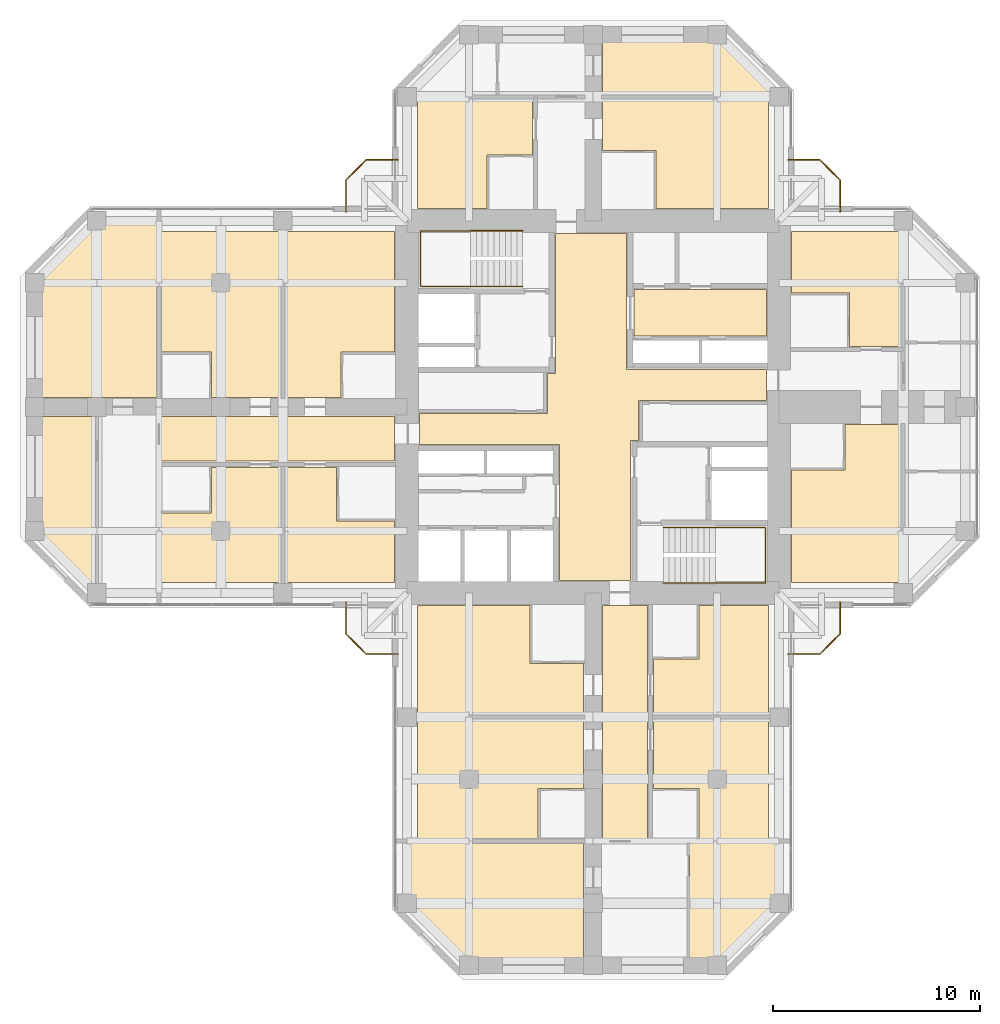
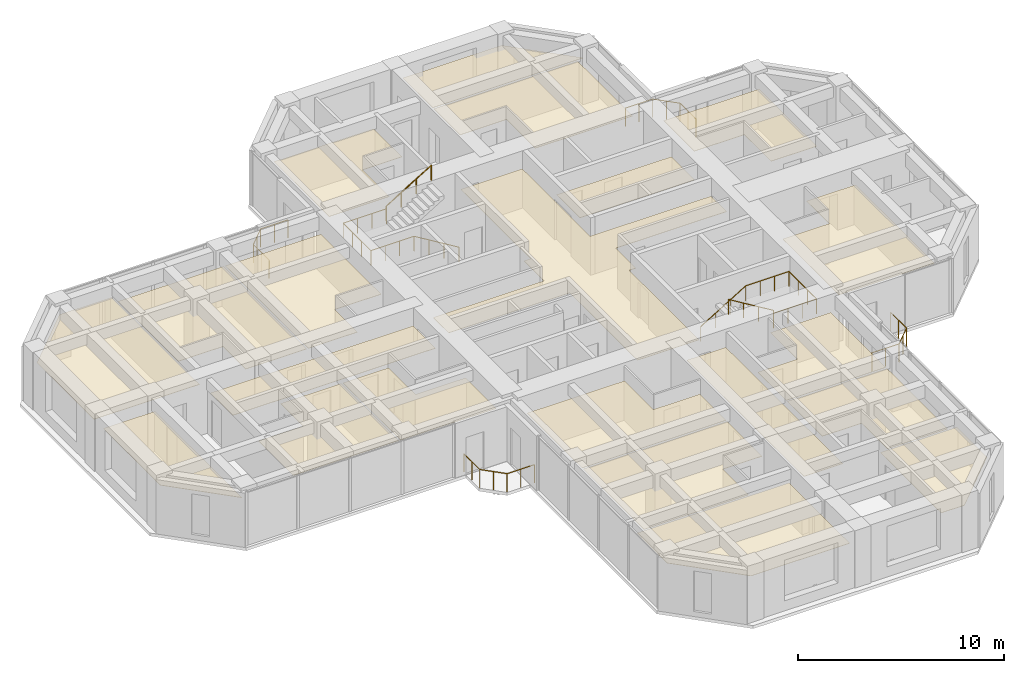
# One storey, part 14 of 14: 21 coverings, 8 railings.
"""IFC4 building model written with IfcOpenShell, lengths in metres."""

from ifc_helpers import new_model, si_unit, direction, frame, origin, origin_2d, place, context, subcontext, project, spatial, polyline, circle, outline, extrude, material, layer, layer_set, constituent, constituent_set, type_object, element, save


model = new_model("IFC4")

# Units and contexts
model_context = context("Model", 3, precision=1e-05, world=origin(), true_north=direction((0.0, 1.0)))
body_context = subcontext(model_context, "Body", "Model", "MODEL_VIEW")
ifc_project = project(units=[si_unit("LENGTHUNIT", "METRE"), si_unit("AREAUNIT", "SQUARE_METRE"), si_unit("VOLUMEUNIT", "CUBIC_METRE"), si_unit("PLANEANGLEUNIT", "RADIAN"), si_unit("MASSUNIT", "GRAM", prefix="KILO")], contexts=[model_context])

# Site, building, storey
site_placement = place(None, origin())
site = spatial("IfcSite", under=ifc_project, at=site_placement, CompositionType="ELEMENT")
building_placement = place(site_placement, origin())
building = spatial("IfcBuilding", under=site, at=building_placement, Name="Torre Cruceta", CompositionType="ELEMENT")
storey_placement = place(building_placement, frame((0.0, 0.0, 176.300048828125)))
storey = spatial("IfcBuildingStorey", under=building, at=storey_placement, Name="L43", CompositionType="ELEMENT", Elevation=176.300048828125)

# Railings
ifc_material_1 = material(Name="Stainless steel 1.4401", Category="steel")
ifc_constituent_1 = constituent(ifc_material_1, Name="Frame")
ifc_material_2 = material(Name="Laminated safety glass", Category="glass")
ifc_constituent_2 = constituent(ifc_material_2, Name="Infill")
ifc_constituent_set = constituent_set(constituents=[ifc_constituent_1, ifc_constituent_2], Name="Stainless steel and laminated glass balustrade")
railing_type_1 = type_object("IfcRailingType", Name="BALCONY BALUSTRADE 1100", PredefinedType="BALUSTRADE", material=ifc_constituent_set)
railing_1_placement = place(storey_placement, frame((-9.449951171875, 11.949951171875, 0.0)))
element("IfcRailing", 1, at=railing_1_placement, inside=storey, type_object=railing_type_1, Name="BL1 balcony balustrade L43 N", PredefinedType="BALUSTRADE", context=body_context, shape_type="SweptSolid", body=[
    extrude(circle(Radius=0.02392578125, at=origin_2d()), frame((0.0, 0.0, 1.076171875), z_axis=(-1.0, 0.0, 0.0), x_axis=(0.0, -1.0, 0.0)), (0.0, 0.0, 1.0), 1.529296875),
    extrude(circle(Radius=0.02392578125, at=origin_2d()), frame((-1.529296875, 0.0, 1.076171875), z_axis=(-0.707106781187, -0.707106781187, 0.0), x_axis=(0.707106781187, -0.707106781187, 0.0)), (0.0, 0.0, 1.0), 1.372802734375),
    extrude(circle(Radius=0.02392578125, at=origin_2d()), frame((-2.5, -0.970703125, 1.076171875), z_axis=(0.0, -1.0, 0.0), x_axis=(1.0, 0.0, 0.0)), (0.0, 0.0, 1.0), 1.529296875),
    extrude(circle(Radius=0.02099609375, at=origin_2d()), origin(), (0.0, 0.0, 1.0), 1.052001953125),
    extrude(circle(Radius=0.02099609375, at=origin_2d()), frame((-0.7646484375, 0.0, 0.0)), (0.0, 0.0, 1.0), 1.052001953125),
    extrude(circle(Radius=0.02099609375, at=origin_2d()), frame((-1.529296875, 0.0, 0.0)), (0.0, 0.0, 1.0), 1.052001953125),
    extrude(circle(Radius=0.02099609375, at=origin_2d()), frame((-2.0146484375, -0.4853515625, 0.0)), (0.0, 0.0, 1.0), 1.052001953125),
    extrude(circle(Radius=0.02099609375, at=origin_2d()), frame((-2.5, -0.970703125, 0.0)), (0.0, 0.0, 1.0), 1.052001953125),
    extrude(circle(Radius=0.02099609375, at=origin_2d()), frame((-2.5, -1.7353515625, 0.0)), (0.0, 0.0, 1.0), 1.052001953125),
    extrude(circle(Radius=0.02099609375, at=origin_2d()), frame((-2.5, -2.5, 0.0)), (0.0, 0.0, 1.0), 1.052001953125),
])
railing_2_placement = place(storey_placement, frame((9.449951171875, 11.949951171875, 0.0)))
element("IfcRailing", 2, at=railing_2_placement, inside=storey, type_object=railing_type_1, Name="BL1 balcony balustrade L43 E", PredefinedType="BALUSTRADE", context=body_context, shape_type="SweptSolid", body=[
    extrude(circle(Radius=0.02392578125, at=origin_2d()), frame((0.0, 0.0, 1.076171875), z_axis=(1.0, 0.0, 0.0), x_axis=(0.0, 1.0, 0.0)), (0.0, 0.0, 1.0), 1.529296875),
    extrude(circle(Radius=0.02392578125, at=origin_2d()), frame((1.529296875, 0.0, 1.076171875), z_axis=(0.707106781187, -0.707106781187, 0.0), x_axis=(0.707106781187, 0.707106781187, 0.0)), (0.0, 0.0, 1.0), 1.372802734375),
    extrude(circle(Radius=0.02392578125, at=origin_2d()), frame((2.5, -0.970703125, 1.076171875), z_axis=(0.0, -1.0, 0.0), x_axis=(1.0, 0.0, 0.0)), (0.0, 0.0, 1.0), 1.529296875),
    extrude(circle(Radius=0.02099609375, at=origin_2d()), origin(), (0.0, 0.0, 1.0), 1.052001953125),
    extrude(circle(Radius=0.02099609375, at=origin_2d()), frame((0.7646484375, 0.0, 0.0)), (0.0, 0.0, 1.0), 1.052001953125),
    extrude(circle(Radius=0.02099609375, at=origin_2d()), frame((1.529296875, 0.0, 0.0)), (0.0, 0.0, 1.0), 1.052001953125),
    extrude(circle(Radius=0.02099609375, at=origin_2d()), frame((2.0146484375, -0.4853515625, 0.0)), (0.0, 0.0, 1.0), 1.052001953125),
    extrude(circle(Radius=0.02099609375, at=origin_2d()), frame((2.5, -0.970703125, 0.0)), (0.0, 0.0, 1.0), 1.052001953125),
    extrude(circle(Radius=0.02099609375, at=origin_2d()), frame((2.5, -1.7353515625, 0.0)), (0.0, 0.0, 1.0), 1.052001953125),
    extrude(circle(Radius=0.02099609375, at=origin_2d()), frame((2.5, -2.5, 0.0)), (0.0, 0.0, 1.0), 1.052001953125),
])
railing_3_placement = place(storey_placement, frame((9.449951171875, -11.949951171875, 0.0)))
element("IfcRailing", 3, at=railing_3_placement, inside=storey, type_object=railing_type_1, Name="BL1 balcony balustrade L43 S", PredefinedType="BALUSTRADE", context=body_context, shape_type="SweptSolid", body=[
    extrude(circle(Radius=0.02392578125, at=origin_2d()), frame((0.0, 0.0, 1.076171875), z_axis=(1.0, 0.0, 0.0), x_axis=(0.0, 1.0, 0.0)), (0.0, 0.0, 1.0), 1.529296875),
    extrude(circle(Radius=0.02392578125, at=origin_2d()), frame((1.529296875, 0.0, 1.076171875), z_axis=(0.707106781187, 0.707106781187, 0.0), x_axis=(-0.707106781187, 0.707106781187, 0.0)), (0.0, 0.0, 1.0), 1.372802734375),
    extrude(circle(Radius=0.02392578125, at=origin_2d()), frame((2.5, 0.970703125, 1.076171875), z_axis=(0.0, 1.0, 0.0), x_axis=(-1.0, 0.0, 0.0)), (0.0, 0.0, 1.0), 1.529296875),
    extrude(circle(Radius=0.02099609375, at=origin_2d()), origin(), (0.0, 0.0, 1.0), 1.052001953125),
    extrude(circle(Radius=0.02099609375, at=origin_2d()), frame((0.7646484375, 0.0, 0.0)), (0.0, 0.0, 1.0), 1.052001953125),
    extrude(circle(Radius=0.02099609375, at=origin_2d()), frame((1.529296875, 0.0, 0.0)), (0.0, 0.0, 1.0), 1.052001953125),
    extrude(circle(Radius=0.02099609375, at=origin_2d()), frame((2.0146484375, 0.4853515625, 0.0)), (0.0, 0.0, 1.0), 1.052001953125),
    extrude(circle(Radius=0.02099609375, at=origin_2d()), frame((2.5, 0.970703125, 0.0)), (0.0, 0.0, 1.0), 1.052001953125),
    extrude(circle(Radius=0.02099609375, at=origin_2d()), frame((2.5, 1.7353515625, 0.0)), (0.0, 0.0, 1.0), 1.052001953125),
    extrude(circle(Radius=0.02099609375, at=origin_2d()), frame((2.5, 2.5, 0.0)), (0.0, 0.0, 1.0), 1.052001953125),
])
railing_4_placement = place(storey_placement, frame((-9.449951171875, -11.949951171875, 0.0)))
element("IfcRailing", 4, at=railing_4_placement, inside=storey, type_object=railing_type_1, Name="BL1 balcony balustrade L43 W", PredefinedType="BALUSTRADE", context=body_context, shape_type="SweptSolid", body=[
    extrude(circle(Radius=0.02392578125, at=origin_2d()), frame((0.0, 0.0, 1.076171875), z_axis=(-1.0, 0.0, 0.0), x_axis=(0.0, -1.0, 0.0)), (0.0, 0.0, 1.0), 1.529296875),
    extrude(circle(Radius=0.02392578125, at=origin_2d()), frame((-1.529296875, 0.0, 1.076171875), z_axis=(-0.707106781187, 0.707106781187, 0.0), x_axis=(-0.707106781187, -0.707106781187, 0.0)), (0.0, 0.0, 1.0), 1.372802734375),
    extrude(circle(Radius=0.02392578125, at=origin_2d()), frame((-2.5, 0.970703125, 1.076171875), z_axis=(0.0, 1.0, 0.0), x_axis=(-1.0, 0.0, 0.0)), (0.0, 0.0, 1.0), 1.529296875),
    extrude(circle(Radius=0.02099609375, at=origin_2d()), origin(), (0.0, 0.0, 1.0), 1.052001953125),
    extrude(circle(Radius=0.02099609375, at=origin_2d()), frame((-0.7646484375, 0.0, 0.0)), (0.0, 0.0, 1.0), 1.052001953125),
    extrude(circle(Radius=0.02099609375, at=origin_2d()), frame((-1.529296875, 0.0, 0.0)), (0.0, 0.0, 1.0), 1.052001953125),
    extrude(circle(Radius=0.02099609375, at=origin_2d()), frame((-2.0146484375, 0.4853515625, 0.0)), (0.0, 0.0, 1.0), 1.052001953125),
    extrude(circle(Radius=0.02099609375, at=origin_2d()), frame((-2.5, 0.970703125, 0.0)), (0.0, 0.0, 1.0), 1.052001953125),
    extrude(circle(Radius=0.02099609375, at=origin_2d()), frame((-2.5, 1.7353515625, 0.0)), (0.0, 0.0, 1.0), 1.052001953125),
    extrude(circle(Radius=0.02099609375, at=origin_2d()), frame((-2.5, 2.5, 0.0)), (0.0, 0.0, 1.0), 1.052001953125),
])
ifc_material_3 = material(Name="Stainless steel 1.4401", Category="steel")
railing_type_2 = type_object("IfcRailingType", Name="HANDRAIL 900", PredefinedType="HANDRAIL", material=ifc_material_3)
railing_5_placement = place(storey_placement, frame((-3.39990234375, 5.8349609375, 0.169921875)))
element("IfcRailing", 5, at=railing_5_placement, inside=storey, type_object=railing_type_2, Name="Handrail HR1 ST1 L43", PredefinedType="HANDRAIL", context=body_context, shape_type="SweptSolid", body=[
    extrude(circle(Radius=0.02392578125, at=origin_2d()), frame((0.0, 0.0, 0.8759765625), z_axis=(-0.85478489116, 0.0, 0.518982456201), x_axis=(0.0, -1.0, 0.0)), (0.0, 0.0, 1.0), 2.9482421875),
    extrude(circle(Radius=0.02392578125, at=origin_2d()), frame((-2.52001953125, 0.0, 2.40576171875), z_axis=(-1.0, 0.0, 0.0), x_axis=(0.0, -1.0, 0.0)), (0.0, 0.0, 1.0), 2.420166015625),
    extrude(circle(Radius=0.02392578125, at=origin_2d()), frame((-4.940185546875, 0.0, 2.40576171875), z_axis=(0.0, 1.0, 0.0), x_axis=(-1.0, 0.0, 0.0)), (0.0, 0.0, 1.0), 2.679931640625),
    extrude(circle(Radius=0.02392578125, at=origin_2d()), frame((-4.940185546875, 2.679931640625, 2.40576171875), z_axis=(1.0, 0.0, 0.0), x_axis=(0.0, 1.0, 0.0)), (0.0, 0.0, 1.0), 2.420166015625),
    extrude(circle(Radius=0.02099609375, at=origin_2d()), origin(), (0.0, 0.0, 1.0), 0.851806640625),
    extrude(circle(Radius=0.02099609375, at=origin_2d()), frame((-0.840087890625, 0.0, 0.510009765625)), (0.0, 0.0, 1.0), 0.851806640625),
    extrude(circle(Radius=0.02099609375, at=origin_2d()), frame((-1.679931640625, 0.0, 1.02001953125)), (0.0, 0.0, 1.0), 0.851806640625),
    extrude(circle(Radius=0.02099609375, at=origin_2d()), frame((-2.52001953125, 0.0, 1.530029296875)), (0.0, 0.0, 1.0), 0.851806640625),
    extrude(circle(Radius=0.02099609375, at=origin_2d()), frame((-3.32666015625, 0.0, 1.530029296875)), (0.0, 0.0, 1.0), 0.851806640625),
    extrude(circle(Radius=0.02099609375, at=origin_2d()), frame((-4.133544921875, 0.0, 1.530029296875)), (0.0, 0.0, 1.0), 0.851806640625),
    extrude(circle(Radius=0.02099609375, at=origin_2d()), frame((-4.940185546875, 0.0, 1.530029296875)), (0.0, 0.0, 1.0), 0.851806640625),
    extrude(circle(Radius=0.02099609375, at=origin_2d()), frame((-4.940185546875, 0.893310546875, 1.530029296875)), (0.0, 0.0, 1.0), 0.851806640625),
    extrude(circle(Radius=0.02099609375, at=origin_2d()), frame((-4.940185546875, 1.78662109375, 1.530029296875)), (0.0, 0.0, 1.0), 0.851806640625),
    extrude(circle(Radius=0.02099609375, at=origin_2d()), frame((-4.940185546875, 2.679931640625, 1.530029296875)), (0.0, 0.0, 1.0), 0.851806640625),
    extrude(circle(Radius=0.02099609375, at=origin_2d()), frame((-4.133544921875, 2.679931640625, 1.530029296875)), (0.0, 0.0, 1.0), 0.851806640625),
    extrude(circle(Radius=0.02099609375, at=origin_2d()), frame((-3.32666015625, 2.679931640625, 1.530029296875)), (0.0, 0.0, 1.0), 0.851806640625),
    extrude(circle(Radius=0.02099609375, at=origin_2d()), frame((-2.52001953125, 2.679931640625, 1.530029296875)), (0.0, 0.0, 1.0), 0.851806640625),
])
railing_6_placement = place(storey_placement, frame((-5.919921875, 8.514892578125, 1.869873046875)))
element("IfcRailing", 6, at=railing_6_placement, inside=storey, type_object=railing_type_2, Name="Handrail HR1 ST1 L43", PredefinedType="HANDRAIL", context=body_context, shape_type="SweptSolid", body=[
    extrude(circle(Radius=0.02392578125, at=origin_2d()), frame((0.0, 0.0, 0.8759765625), z_axis=(0.85478489116, 0.0, 0.518982456201), x_axis=(0.0, 1.0, 0.0)), (0.0, 0.0, 1.0), 2.9482421875),
    extrude(circle(Radius=0.02099609375, at=origin_2d()), origin(), (0.0, 0.0, 1.0), 0.851806640625),
    extrude(circle(Radius=0.02099609375, at=origin_2d()), frame((0.840087890625, 0.0, 0.510009765625)), (0.0, 0.0, 1.0), 0.851806640625),
    extrude(circle(Radius=0.02099609375, at=origin_2d()), frame((1.679931640625, 0.0, 1.02001953125)), (0.0, 0.0, 1.0), 0.851806640625),
    extrude(circle(Radius=0.02099609375, at=origin_2d()), frame((2.52001953125, 0.0, 1.530029296875)), (0.0, 0.0, 1.0), 0.851806640625),
])
railing_7_placement = place(storey_placement, frame((3.39990234375, -5.8349609375, 0.169921875)))
element("IfcRailing", 7, at=railing_7_placement, inside=storey, type_object=railing_type_2, Name="Handrail HR1 ST2 L43", PredefinedType="HANDRAIL", context=body_context, shape_type="SweptSolid", body=[
    extrude(circle(Radius=0.02392578125, at=origin_2d()), frame((0.0, 0.0, 0.8759765625), z_axis=(0.85478489116, 0.0, 0.518982456201), x_axis=(0.0, 1.0, 0.0)), (0.0, 0.0, 1.0), 2.9482421875),
    extrude(circle(Radius=0.02392578125, at=origin_2d()), frame((2.52001953125, 0.0, 2.40576171875), z_axis=(1.0, 0.0, 0.0), x_axis=(0.0, 1.0, 0.0)), (0.0, 0.0, 1.0), 2.420166015625),
    extrude(circle(Radius=0.02392578125, at=origin_2d()), frame((4.940185546875, 0.0, 2.40576171875), z_axis=(0.0, -1.0, 0.0), x_axis=(1.0, 0.0, 0.0)), (0.0, 0.0, 1.0), 2.679931640625),
    extrude(circle(Radius=0.02392578125, at=origin_2d()), frame((4.940185546875, -2.679931640625, 2.40576171875), z_axis=(-1.0, 0.0, 0.0), x_axis=(0.0, -1.0, 0.0)), (0.0, 0.0, 1.0), 2.420166015625),
    extrude(circle(Radius=0.02099609375, at=origin_2d()), origin(), (0.0, 0.0, 1.0), 0.851806640625),
    extrude(circle(Radius=0.02099609375, at=origin_2d()), frame((0.840087890625, 0.0, 0.510009765625)), (0.0, 0.0, 1.0), 0.851806640625),
    extrude(circle(Radius=0.02099609375, at=origin_2d()), frame((1.679931640625, 0.0, 1.02001953125)), (0.0, 0.0, 1.0), 0.851806640625),
    extrude(circle(Radius=0.02099609375, at=origin_2d()), frame((2.52001953125, 0.0, 1.530029296875)), (0.0, 0.0, 1.0), 0.851806640625),
    extrude(circle(Radius=0.02099609375, at=origin_2d()), frame((3.32666015625, 0.0, 1.530029296875)), (0.0, 0.0, 1.0), 0.851806640625),
    extrude(circle(Radius=0.02099609375, at=origin_2d()), frame((4.133544921875, 0.0, 1.530029296875)), (0.0, 0.0, 1.0), 0.851806640625),
    extrude(circle(Radius=0.02099609375, at=origin_2d()), frame((4.940185546875, 0.0, 1.530029296875)), (0.0, 0.0, 1.0), 0.851806640625),
    extrude(circle(Radius=0.02099609375, at=origin_2d()), frame((4.940185546875, -0.893310546875, 1.530029296875)), (0.0, 0.0, 1.0), 0.851806640625),
    extrude(circle(Radius=0.02099609375, at=origin_2d()), frame((4.940185546875, -1.78662109375, 1.530029296875)), (0.0, 0.0, 1.0), 0.851806640625),
    extrude(circle(Radius=0.02099609375, at=origin_2d()), frame((4.940185546875, -2.679931640625, 1.530029296875)), (0.0, 0.0, 1.0), 0.851806640625),
    extrude(circle(Radius=0.02099609375, at=origin_2d()), frame((4.133544921875, -2.679931640625, 1.530029296875)), (0.0, 0.0, 1.0), 0.851806640625),
    extrude(circle(Radius=0.02099609375, at=origin_2d()), frame((3.32666015625, -2.679931640625, 1.530029296875)), (0.0, 0.0, 1.0), 0.851806640625),
    extrude(circle(Radius=0.02099609375, at=origin_2d()), frame((2.52001953125, -2.679931640625, 1.530029296875)), (0.0, 0.0, 1.0), 0.851806640625),
])
railing_8_placement = place(storey_placement, frame((5.919921875, -8.514892578125, 1.869873046875)))
element("IfcRailing", 8, at=railing_8_placement, inside=storey, type_object=railing_type_2, Name="Handrail HR1 ST2 L43", PredefinedType="HANDRAIL", context=body_context, shape_type="SweptSolid", body=[
    extrude(circle(Radius=0.02392578125, at=origin_2d()), frame((0.0, 0.0, 0.8759765625), z_axis=(-0.85478489116, 0.0, 0.518982456201), x_axis=(0.0, -1.0, 0.0)), (0.0, 0.0, 1.0), 2.9482421875),
    extrude(circle(Radius=0.02099609375, at=origin_2d()), origin(), (0.0, 0.0, 1.0), 0.851806640625),
    extrude(circle(Radius=0.02099609375, at=origin_2d()), frame((-0.840087890625, 0.0, 0.510009765625)), (0.0, 0.0, 1.0), 0.851806640625),
    extrude(circle(Radius=0.02099609375, at=origin_2d()), frame((-1.679931640625, 0.0, 1.02001953125)), (0.0, 0.0, 1.0), 0.851806640625),
    extrude(circle(Radius=0.02099609375, at=origin_2d()), frame((-2.52001953125, 0.0, 1.530029296875)), (0.0, 0.0, 1.0), 0.851806640625),
])

# Coverings
ifc_material_4 = material(Name="Mineral fibre ceiling tile", Category="gypsum")
ifc_layer = layer(ifc_material_4, 0.02001953125)
ifc_layer_set = layer_set([ifc_layer], Name="Mineral fibre ceiling tile")
covering_type = type_object("IfcCoveringType", Name="SUSPENDED CEILING 20", PredefinedType="CEILING", material=ifc_layer_set)
covering_1_placement = place(storey_placement, frame((0.0, 0.0, 2.349853515625)))
element("IfcCovering", 9, at=covering_1_placement, inside=storey, type_object=covering_type, Name="Ceiling L43-003", PredefinedType="CEILING", context=body_context, shape_type="SweptSolid", body=[
    extrude(outline(polyline([(1.824951171875, -8.39990234375), (-1.625, -8.39990234375), (-1.625, -1.824951171875), (-8.39990234375, -1.824951171875), (-8.39990234375, -0.324951171875), (-2.199951171875, -0.324951171875), (-2.199951171875, 1.625), (-1.824951171875, 1.625), (-1.824951171875, 8.39990234375), (1.625, 8.39990234375), (1.625, 1.824951171875), (8.39990234375, 1.824951171875), (8.39990234375, 0.324951171875), (2.199951171875, 0.324951171875), (2.199951171875, -1.625), (1.824951171875, -1.625), (1.824951171875, -8.39990234375)])), origin(), (0.0, 0.0, 1.0), 0.02001953125),
])
covering_2_placement = place(storey_placement, frame((0.0, 0.0, 2.349853515625)))
element("IfcCovering", 10, at=covering_2_placement, inside=storey, type_object=covering_type, Name="Ceiling L43-006", PredefinedType="CEILING", context=body_context, shape_type="SweptSolid", body=[
    extrude(outline(polyline([(1.97509765625, 3.425048828125), (1.97509765625, 5.675048828125), (8.39990234375, 5.675048828125), (8.39990234375, 3.425048828125), (1.97509765625, 3.425048828125)])), origin(), (0.0, 0.0, 1.0), 0.02001953125),
])
covering_3_placement = place(storey_placement, frame((0.0, 0.0, 2.349853515625)))
element("IfcCovering", 11, at=covering_3_placement, inside=storey, type_object=covering_type, Name="Ceiling L43-025", PredefinedType="CEILING", context=body_context, shape_type="SweptSolid", body=[
    extrude(outline(polyline([(-8.5, 9.60009765625), (-8.5, 14.949951171875), (-2.925048828125, 14.949951171875), (-2.925048828125, 12.199951171875), (-5.125, 12.199951171875), (-5.125, 9.60009765625), (-8.5, 9.60009765625)])), origin(), (0.0, 0.0, 1.0), 0.02001953125),
])
covering_4_placement = place(storey_placement, frame((0.0, 0.0, 2.349853515625)))
element("IfcCovering", 12, at=covering_4_placement, inside=storey, type_object=covering_type, Name="Ceiling L43-027", PredefinedType="CEILING", context=body_context, shape_type="SweptSolid", body=[
    extrude(outline(polyline([(0.449951171875, 14.949951171875), (8.5, 14.949951171875), (8.5, 9.60009765625), (3.050048828125, 9.60009765625), (3.050048828125, 12.39990234375), (0.449951171875, 12.39990234375), (0.449951171875, 14.949951171875)])), origin(), (0.0, 0.0, 1.0), 0.02001953125),
])
covering_5_placement = place(storey_placement, frame((0.0, 0.0, 2.349853515625)))
element("IfcCovering", 13, at=covering_5_placement, inside=storey, type_object=covering_type, Name="Ceiling L43-031", PredefinedType="CEILING", context=body_context, shape_type="SweptSolid", body=[
    extrude(outline(polyline([(8.87939453125, 15.050048828125), (0.449951171875, 15.050048828125), (0.449951171875, 17.949951171875), (5.979248046875, 17.949951171875), (8.87939453125, 15.050048828125)])), origin(), (0.0, 0.0, 1.0), 0.02001953125),
])
covering_6_placement = place(storey_placement, frame((0.0, 0.0, 2.349853515625)))
element("IfcCovering", 14, at=covering_6_placement, inside=storey, type_object=covering_type, Name="Ceiling L43-033", PredefinedType="CEILING", context=body_context, shape_type="SweptSolid", body=[
    extrude(outline(polyline([(9.60009765625, 8.5), (14.949951171875, 8.5), (14.949951171875, 2.925048828125), (12.39990234375, 2.925048828125), (12.39990234375, 5.52490234375), (9.60009765625, 5.52490234375), (9.60009765625, 8.5)])), origin(), (0.0, 0.0, 1.0), 0.02001953125),
])
covering_7_placement = place(storey_placement, frame((0.0, 0.0, 2.349853515625)))
element("IfcCovering", 15, at=covering_7_placement, inside=storey, type_object=covering_type, Name="Ceiling L43-035", PredefinedType="CEILING", context=body_context, shape_type="SweptSolid", body=[
    extrude(outline(polyline([(14.949951171875, -0.85009765625), (14.949951171875, -8.5), (9.60009765625, -8.5), (9.60009765625, -3.050048828125), (12.199951171875, -3.050048828125), (12.199951171875, -0.85009765625), (14.949951171875, -0.85009765625)])), origin(), (0.0, 0.0, 1.0), 0.02001953125),
])
covering_8_placement = place(storey_placement, frame((0.0, 0.0, 2.349853515625)))
element("IfcCovering", 16, at=covering_8_placement, inside=storey, type_object=covering_type, Name="Ceiling L43-041", PredefinedType="CEILING", context=body_context, shape_type="SweptSolid", body=[
    extrude(outline(polyline([(0.449951171875, -9.60009765625), (2.625, -9.60009765625), (2.625, -20.949951171875), (0.449951171875, -20.949951171875), (0.449951171875, -9.60009765625)])), origin(), (0.0, 0.0, 1.0), 0.02001953125),
])
covering_9_placement = place(storey_placement, frame((0.0, 0.0, 2.349853515625)))
element("IfcCovering", 17, at=covering_9_placement, inside=storey, type_object=covering_type, Name="Ceiling L43-042", PredefinedType="CEILING", context=body_context, shape_type="SweptSolid", body=[
    extrude(outline(polyline([(8.5, -9.60009765625), (8.5, -14.949951171875), (2.925048828125, -14.949951171875), (2.925048828125, -12.199951171875), (5.125, -12.199951171875), (5.125, -9.60009765625), (8.5, -9.60009765625)])), origin(), (0.0, 0.0, 1.0), 0.02001953125),
])
covering_10_placement = place(storey_placement, frame((0.0, 0.0, 2.349853515625)))
element("IfcCovering", 18, at=covering_10_placement, inside=storey, type_object=covering_type, Name="Ceiling L43-044", PredefinedType="CEILING", context=body_context, shape_type="SweptSolid", body=[
    extrude(outline(polyline([(-0.449951171875, -14.949951171875), (-8.5, -14.949951171875), (-8.5, -9.60009765625), (-3.050048828125, -9.60009765625), (-3.050048828125, -12.39990234375), (-0.449951171875, -12.39990234375), (-0.449951171875, -14.949951171875)])), origin(), (0.0, 0.0, 1.0), 0.02001953125),
])
covering_11_placement = place(storey_placement, frame((0.0, 0.0, 2.349853515625)))
element("IfcCovering", 19, at=covering_11_placement, inside=storey, type_object=covering_type, Name="Ceiling L43-046", PredefinedType="CEILING", context=body_context, shape_type="SweptSolid", body=[
    extrude(outline(polyline([(2.925048828125, -15.050048828125), (8.5, -15.050048828125), (8.5, -20.949951171875), (5.125, -20.949951171875), (5.125, -18.449951171875), (2.925048828125, -18.449951171875), (2.925048828125, -15.050048828125)])), origin(), (0.0, 0.0, 1.0), 0.02001953125),
])
covering_12_placement = place(storey_placement, frame((0.0, 0.0, 2.349853515625)))
element("IfcCovering", 20, at=covering_12_placement, inside=storey, type_object=covering_type, Name="Ceiling L43-048", PredefinedType="CEILING", context=body_context, shape_type="SweptSolid", body=[
    extrude(outline(polyline([(-8.5, -20.949951171875), (-8.5, -15.050048828125), (-0.449951171875, -15.050048828125), (-0.449951171875, -18.449951171875), (-2.64990234375, -18.449951171875), (-2.64990234375, -20.949951171875), (-8.5, -20.949951171875)])), origin(), (0.0, 0.0, 1.0), 0.02001953125),
])
covering_13_placement = place(storey_placement, frame((0.0, 0.0, 2.349853515625)))
element("IfcCovering", 21, at=covering_13_placement, inside=storey, type_object=covering_type, Name="Ceiling L43-051", PredefinedType="CEILING", context=body_context, shape_type="SweptSolid", body=[
    extrude(outline(polyline([(8.949951171875, -23.979248046875), (5.979248046875, -26.949951171875), (4.675048828125, -26.949951171875), (4.675048828125, -21.050048828125), (8.949951171875, -21.050048828125), (8.949951171875, -23.979248046875)])), origin(), (0.0, 0.0, 1.0), 0.02001953125),
])
covering_14_placement = place(storey_placement, frame((0.0, 0.0, 2.349853515625)))
element("IfcCovering", 22, at=covering_14_placement, inside=storey, type_object=covering_type, Name="Ceiling L43-052", PredefinedType="CEILING", context=body_context, shape_type="SweptSolid", body=[
    extrude(outline(polyline([(-8.949951171875, -23.979248046875), (-8.949951171875, -21.050048828125), (-0.449951171875, -21.050048828125), (-0.449951171875, -26.949951171875), (-5.979248046875, -26.949951171875), (-8.949951171875, -23.979248046875)])), origin(), (0.0, 0.0, 1.0), 0.02001953125),
])
covering_15_placement = place(storey_placement, frame((0.0, 0.0, 2.349853515625)))
element("IfcCovering", 23, at=covering_15_placement, inside=storey, type_object=covering_type, Name="Ceiling L43-053", PredefinedType="CEILING", context=body_context, shape_type="SweptSolid", body=[
    extrude(outline(polyline([(-9.60009765625, -0.449951171875), (-9.60009765625, -2.625), (-20.949951171875, -2.625), (-20.949951171875, -0.449951171875), (-9.60009765625, -0.449951171875)])), origin(), (0.0, 0.0, 1.0), 0.02001953125),
])
covering_16_placement = place(storey_placement, frame((0.0, 0.0, 2.349853515625)))
element("IfcCovering", 24, at=covering_16_placement, inside=storey, type_object=covering_type, Name="Ceiling L43-054", PredefinedType="CEILING", context=body_context, shape_type="SweptSolid", body=[
    extrude(outline(polyline([(-9.60009765625, -8.5), (-14.949951171875, -8.5), (-14.949951171875, -2.925048828125), (-12.39990234375, -2.925048828125), (-12.39990234375, -5.52490234375), (-9.60009765625, -5.52490234375), (-9.60009765625, -8.5)])), origin(), (0.0, 0.0, 1.0), 0.02001953125),
])
covering_17_placement = place(storey_placement, frame((0.0, 0.0, 2.349853515625)))
element("IfcCovering", 25, at=covering_17_placement, inside=storey, type_object=covering_type, Name="Ceiling L43-056", PredefinedType="CEILING", context=body_context, shape_type="SweptSolid", body=[
    extrude(outline(polyline([(-14.949951171875, 0.449951171875), (-14.949951171875, 8.5), (-9.60009765625, 8.5), (-9.60009765625, 2.64990234375), (-12.199951171875, 2.64990234375), (-12.199951171875, 0.449951171875), (-14.949951171875, 0.449951171875)])), origin(), (0.0, 0.0, 1.0), 0.02001953125),
])
covering_18_placement = place(storey_placement, frame((0.0, 0.0, 2.349853515625)))
element("IfcCovering", 26, at=covering_18_placement, inside=storey, type_object=covering_type, Name="Ceiling L43-058", PredefinedType="CEILING", context=body_context, shape_type="SweptSolid", body=[
    extrude(outline(polyline([(-15.050048828125, -2.925048828125), (-15.050048828125, -8.5), (-20.949951171875, -8.5), (-20.949951171875, -5.125), (-18.449951171875, -5.125), (-18.449951171875, -2.925048828125), (-15.050048828125, -2.925048828125)])), origin(), (0.0, 0.0, 1.0), 0.02001953125),
])
covering_19_placement = place(storey_placement, frame((0.0, 0.0, 2.349853515625)))
element("IfcCovering", 27, at=covering_19_placement, inside=storey, type_object=covering_type, Name="Ceiling L43-060", PredefinedType="CEILING", context=body_context, shape_type="SweptSolid", body=[
    extrude(outline(polyline([(-20.949951171875, 8.5), (-15.050048828125, 8.5), (-15.050048828125, 0.449951171875), (-18.449951171875, 0.449951171875), (-18.449951171875, 2.64990234375), (-20.949951171875, 2.64990234375), (-20.949951171875, 8.5)])), origin(), (0.0, 0.0, 1.0), 0.02001953125),
])
covering_20_placement = place(storey_placement, frame((0.0, 0.0, 2.349853515625)))
element("IfcCovering", 28, at=covering_20_placement, inside=storey, type_object=covering_type, Name="Ceiling L43-063", PredefinedType="CEILING", context=body_context, shape_type="SweptSolid", body=[
    extrude(outline(polyline([(-26.949951171875, -0.449951171875), (-24.050048828125, -0.449951171875), (-24.050048828125, -8.87939453125), (-26.949951171875, -5.979248046875), (-26.949951171875, -0.449951171875)])), origin(), (0.0, 0.0, 1.0), 0.02001953125),
])
covering_21_placement = place(storey_placement, frame((0.0, 0.0, 2.349853515625)))
element("IfcCovering", 29, at=covering_21_placement, inside=storey, type_object=covering_type, Name="Ceiling L43-064", PredefinedType="CEILING", context=body_context, shape_type="SweptSolid", body=[
    extrude(outline(polyline([(-23.979248046875, 8.949951171875), (-21.050048828125, 8.949951171875), (-21.050048828125, 0.449951171875), (-26.949951171875, 0.449951171875), (-26.949951171875, 5.979248046875), (-23.979248046875, 8.949951171875)])), origin(), (0.0, 0.0, 1.0), 0.02001953125),
])

save(model, "model.ifc")
